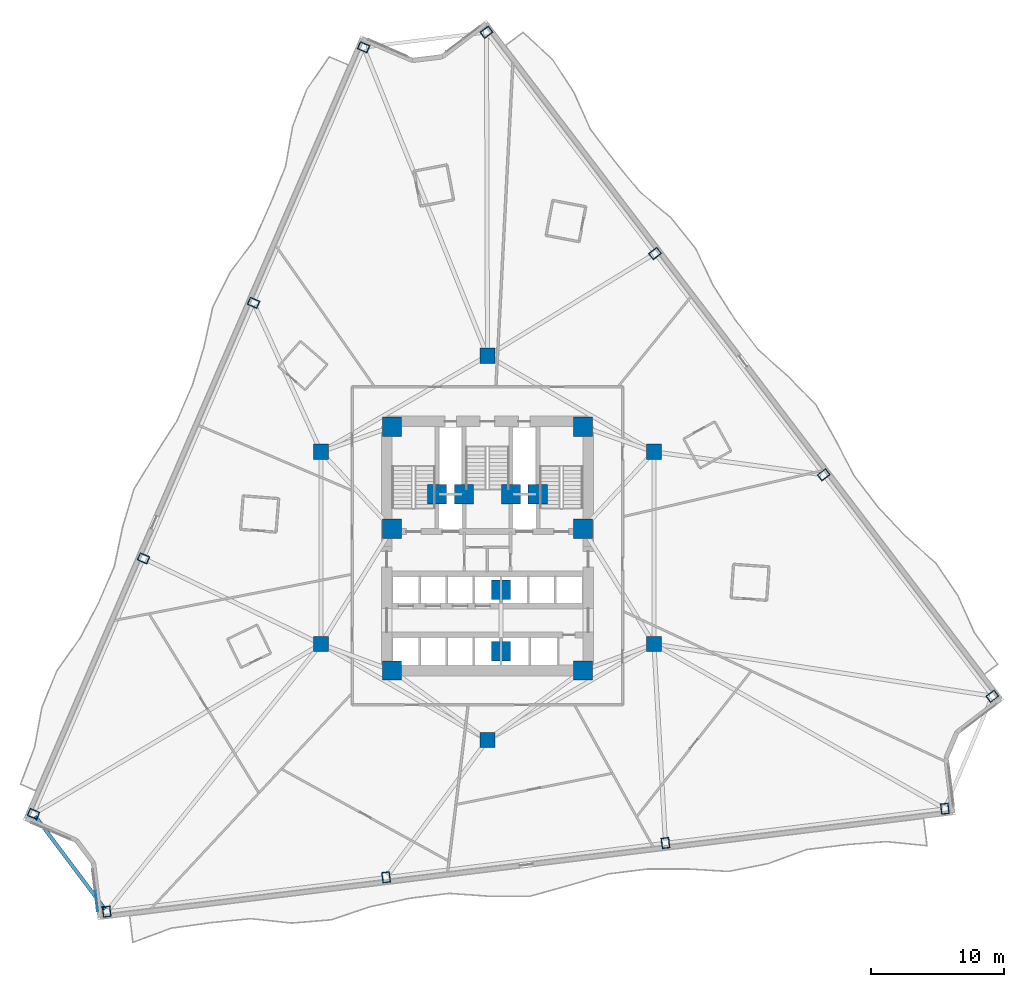
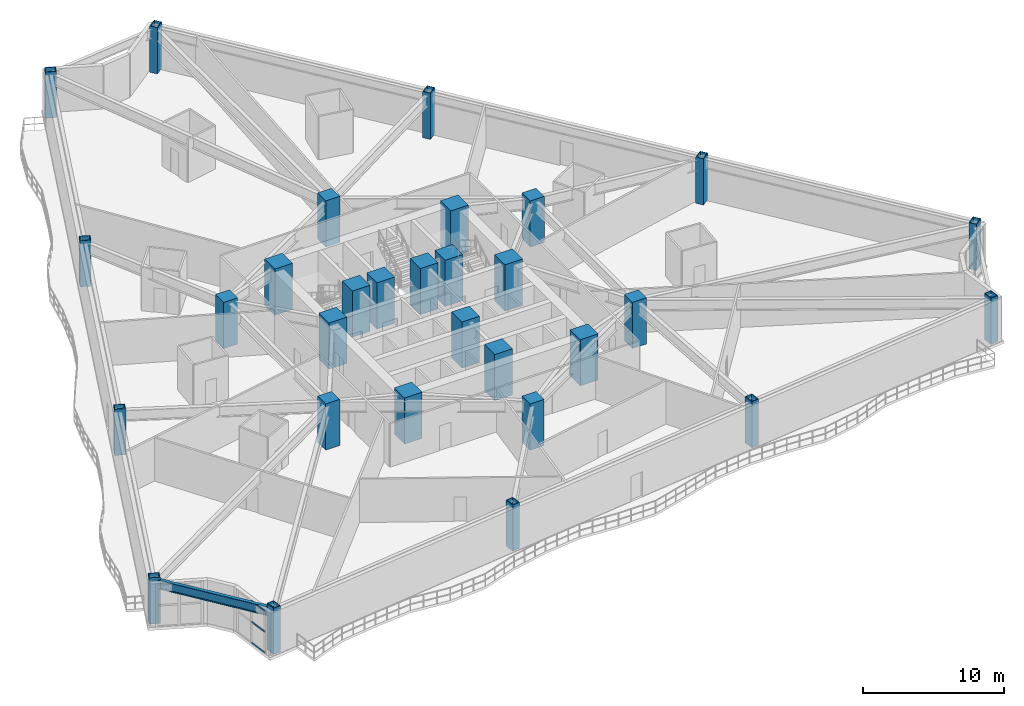
# One storey, part 1 of 17: 30 columns, 3 members, 1 beam, 1 element without a shape of its own.
"""IFC4 building model written with IfcOpenShell, lengths in metres."""

from ifc_helpers import new_model, si_unit, direction, frame, origin, origin_2d, place, context, subcontext, project, spatial, rectangle, hollow_rectangle, i_section, extrude, material, layer, layer_set, material_profile, profile_set, type_object, element, aggregate, save


model = new_model("IFC4")

# Units and contexts
model_context = context("Model", 3, precision=1e-05, world=origin(), true_north=direction((0.0, 1.0)))
body_context = subcontext(model_context, "Body", "Model", "MODEL_VIEW")
ifc_project = project(units=[si_unit("LENGTHUNIT", "METRE"), si_unit("AREAUNIT", "SQUARE_METRE"), si_unit("VOLUMEUNIT", "CUBIC_METRE"), si_unit("PLANEANGLEUNIT", "RADIAN"), si_unit("MASSUNIT", "GRAM", prefix="KILO")], contexts=[model_context])

# Site, building, storey
site_placement = place(None, origin())
site = spatial("IfcSite", under=ifc_project, at=site_placement, CompositionType="ELEMENT")
building_placement = place(site_placement, origin())
building = spatial("IfcBuilding", under=site, at=building_placement, Name="Apsidion Concourse Tower", CompositionType="ELEMENT")
storey_placement = place(building_placement, frame((0.0, 0.0, 75.0)))
storey = spatial("IfcBuildingStorey", under=building, at=storey_placement, Name="L16", CompositionType="ELEMENT", Elevation=75.0)

# Columns
ifc_material_1 = material(Name="Structural steel ASTM A572 Grade 50", Category="steel")
ifc_material_profile_1 = material_profile(ifc_material_1, hollow_rectangle(XDim=0.60009765625, YDim=0.800048828125, WallThickness=0.050048828125, at=origin_2d()), Name="BOX800X600X50")
ifc_profile_set_1 = profile_set([ifc_material_profile_1], Name="Structural steel ASTM A572 Grade 50")
column_type_1 = type_object("IfcColumnType", Name="COL-BOX-800", PredefinedType="COLUMN", material=ifc_profile_set_1)
for number, where, z_axis, x_axis, name in (
    (1, (-9.34423828125, 37.77685546875, 0.0), (0.0, 0.0, 1.0), (0.395545502563, 0.918446381343, 0.0), "L16 Rotated Perimeter Column PC01"),
    (2, (-17.64794921875, 18.49462890625, 0.0), (0.0, 0.0, 1.0), (0.395545502563, 0.918446381343, 0.0), "L16 Rotated Perimeter Column PC02"),
    (3, (-25.95166015625, -0.787353515625, 0.0), (0.0, 0.0, 1.0), (0.395545502563, 0.918446381343, 0.0), "L16 Rotated Perimeter Column PC03"),
    (4, (-34.25537109375, -20.069580078125, 0.0), (0.0, 0.0, 1.0), (0.395545502563, 0.918446381343, 0.0), "L16 Rotated Perimeter Column PC04"),
    (5, (-28.72802734375, -27.4443359375, 0.0), (0.0, 0.0, 1.0), (0.992546151641, 0.121869343405, 0.0), "L16 Rotated Perimeter Column PC05"),
    (6, (-7.647216796875, -24.85595703125, 0.0), (0.0, 0.0, 1.0), (0.992546151641, 0.121869343405, 0.0), "L16 Rotated Perimeter Column PC06"),
    (7, (13.433349609375, -22.267578125, 0.0), (0.0, 0.0, 1.0), (0.992546151641, 0.121869343405, 0.0), "L16 Rotated Perimeter Column PC07"),
    (8, (34.51416015625, -19.67919921875, 0.0), (0.0, 0.0, 1.0), (0.992546151641, 0.121869343405, 0.0), "L16 Rotated Perimeter Column PC08"),
    (9, (38.093017578125, -11.186279296875, 0.0), (0.0, 0.0, 1.0), (-0.605988400266, 0.795473480855, 0.0), "L16 Rotated Perimeter Column PC09"),
    (10, (25.371337890625, 5.514404296875, 0.0), (0.0, 0.0, 1.0), (-0.605988400266, 0.795473480855, 0.0), "L16 Rotated Perimeter Column PC10"),
    (11, (12.6494140625, 22.214599609375, 0.0), (0.0, 0.0, 1.0), (-0.605988400266, 0.795473480855, 0.0), "L16 Rotated Perimeter Column PC11"),
    (12, (-0.072265625, 38.915283203125, 0.0), (0.0, 0.0, 1.0), (-0.605988400266, 0.795473480855, 0.0), "L16 Rotated Perimeter Column PC12"),
):
    element("IfcColumn", number, at=place(storey_placement, frame(where, z_axis=z_axis, x_axis=x_axis)), inside=storey, type_object=column_type_1, Name=name, PredefinedType="COLUMN", context=body_context, shape_type="SweptSolid", body=[
        extrude(hollow_rectangle(XDim=0.60009765625, YDim=0.800048828125, WallThickness=0.050048828125, at=origin_2d()), origin(), (0.0, 0.0, 1.0), 4.0),
    ])
ifc_material_2 = material(Name="Concrete C50/60", Category="concrete")
ifc_material_profile_2 = material_profile(ifc_material_2, rectangle(XDim=1.14990234375, YDim=1.14990234375, at=origin_2d()), Name="RC 1150x1150")
ifc_profile_set_2 = profile_set([ifc_material_profile_2], Name="Concrete C50/60")
column_type_2 = type_object("IfcColumnType", Name="COL-RC-1150", PredefinedType="COLUMN", material=ifc_profile_set_2)
for number, where, z_axis, x_axis, name in (
    (13, (-12.56005859375, -7.25, 0.0), (0.0, 0.0, 1.0), (1.0, 0.0, 0.0), "L16 Interior Spine Column IC1"),
    (14, (12.56005859375, -7.25, 0.0), (0.0, 0.0, 1.0), (1.0, 0.0, 0.0), "L16 Interior Spine Column IC2"),
    (15, (12.56005859375, 7.25, 0.0), (0.0, 0.0, 1.0), (1.0, 0.0, 0.0), "L16 Interior Spine Column IC3"),
    (16, (0.0, 14.5, 0.0), (0.0, 0.0, 1.0), (1.0, 0.0, 0.0), "L16 Interior Spine Column IC4"),
    (17, (-12.56005859375, 7.25, 0.0), (0.0, 0.0, 1.0), (1.0, 0.0, 0.0), "L16 Interior Spine Column IC5"),
    (18, (0.0, -14.5, 0.0), (0.0, 0.0, 1.0), (1.0, 0.0, 0.0), "L16 Interior Spine Column IC6"),
):
    element("IfcColumn", number, at=place(storey_placement, frame(where, z_axis=z_axis, x_axis=x_axis)), inside=storey, type_object=column_type_2, Name=name, PredefinedType="COLUMN", context=body_context, shape_type="SweptSolid", body=[
        extrude(rectangle(XDim=1.14990234375, YDim=1.14990234375, at=origin_2d()), origin(), (0.0, 0.0, 1.0), 4.0),
    ])
ifc_material_3 = material(Name="Concrete C60/75", Category="concrete")
ifc_material_profile_3 = material_profile(ifc_material_3, rectangle(XDim=1.449951171875, YDim=1.449951171875, at=origin_2d()), Name="RC 1450x1450")
ifc_profile_set_3 = profile_set([ifc_material_profile_3], Name="Concrete C60/75")
column_type_3 = type_object("IfcColumnType", Name="COL-RC-1450", PredefinedType="COLUMN", material=ifc_profile_set_3)
for number, where, z_axis, x_axis, name in (
    (19, (-7.199951171875, -9.25, 0.0), (0.0, 0.0, 1.0), (1.0, 0.0, 0.0), "L16 Core Super-Column SC1"),
    (20, (7.199951171875, -9.25, 0.0), (0.0, 0.0, 1.0), (1.0, 0.0, 0.0), "L16 Core Super-Column SC2"),
    (21, (7.199951171875, 1.449951171875, 0.0), (0.0, 0.0, 1.0), (1.0, 0.0, 0.0), "L16 Core Super-Column SC3"),
    (22, (7.199951171875, 9.14990234375, 0.0), (0.0, 0.0, 1.0), (1.0, 0.0, 0.0), "L16 Core Super-Column SC4"),
    (23, (-7.199951171875, 9.14990234375, 0.0), (0.0, 0.0, 1.0), (1.0, 0.0, 0.0), "L16 Core Super-Column SC5"),
    (24, (-7.199951171875, 1.449951171875, 0.0), (0.0, 0.0, 1.0), (1.0, 0.0, 0.0), "L16 Core Super-Column SC6"),
    (25, (-3.800048828125, 4.050048828125, 0.0), (0.0, 0.0, 1.0), (1.0, 0.0, 0.0), "L16 Core Super-Column CC1"),
    (26, (3.800048828125, 4.050048828125, 0.0), (0.0, 0.0, 1.0), (1.0, 0.0, 0.0), "L16 Core Super-Column CC2"),
    (27, (-1.77490234375, 4.050048828125, 0.0), (0.0, 0.0, 1.0), (1.0, 0.0, 0.0), "L16 Core Super-Column CC3"),
    (28, (1.77490234375, 4.050048828125, 0.0), (0.0, 0.0, 1.0), (1.0, 0.0, 0.0), "L16 Core Super-Column CC4"),
    (29, (1.02490234375, -3.14990234375, 0.0), (0.0, 0.0, 1.0), (1.0, 0.0, 0.0), "L16 Core Super-Column CC5"),
    (30, (1.02490234375, -7.800048828125, 0.0), (0.0, 0.0, 1.0), (1.0, 0.0, 0.0), "L16 Core Super-Column CC6"),
):
    element("IfcColumn", number, at=place(storey_placement, frame(where, z_axis=z_axis, x_axis=x_axis)), inside=storey, type_object=column_type_3, Name=name, PredefinedType="COLUMN", context=body_context, shape_type="SweptSolid", body=[
        extrude(rectangle(XDim=1.449951171875, YDim=1.449951171875, at=origin_2d()), origin(), (0.0, 0.0, 1.0), 4.0),
    ])

# Beam
ifc_material_4 = material(Name="Structural steel ASTM A992 Grade 50", Category="steel")
ifc_material_profile_4 = material_profile(ifc_material_4, i_section(OverallWidth=0.26806640625, OverallDepth=0.77001953125, WebThickness=0.015625, FlangeThickness=0.025390625, at=origin_2d()), Name="W30X132")
ifc_profile_set_4 = profile_set([ifc_material_profile_4], Name="Structural steel ASTM A992 Grade 50")
beam_type = type_object("IfcBeamType", Name="BM-SP-W30", PredefinedType="SPANDREL", material=ifc_profile_set_4)
beam_placement = place(storey_placement, frame((-34.12353515625, -20.24560546875, 3.364990234375), z_axis=(0.59973736177, -0.800196911327, 0.0), x_axis=(0.800196911327, 0.59973736177, 0.0)))
element("IfcBeam", 31, at=beam_placement, inside=storey, type_object=beam_type, Name="L16 Perimeter Spandrel Girder SP-04", PredefinedType="SPANDREL", context=body_context, shape_type="SweptSolid", body=[
    extrude(i_section(OverallWidth=0.26806640625, OverallDepth=0.77001953125, WebThickness=0.015625, FlangeThickness=0.025390625, at=origin_2d()), origin(), (0.0, 0.0, 1.0), 8.776123046875),
])

# Curtain wall, members
ifc_material_5 = material(Name="Insulated laminated low-E glass", Category="glass")
ifc_layer = layer(ifc_material_5, 0.219970703125)
ifc_layer_set = layer_set([ifc_layer], Name="Insulated laminated low-E glass")
curtain_wall_type = type_object("IfcCurtainWallType", Name="CW-SYS-04", PredefinedType="NOTDEFINED", material=ifc_layer_set)
curtain_wall_placement = place(storey_placement, origin())
curtain_wall = element("IfcCurtainWall", 32, at=curtain_wall_placement, inside=storey, type_object=curtain_wall_type, Name="L16 Corner Lounge Box Curtain Wall 6", PredefinedType="NOTDEFINED")
ifc_material_6 = material(Name="Anodised aluminium EN AW-6063 T6", Category="aluminium")
ifc_material_profile_5 = material_profile(ifc_material_6, rectangle(XDim=0.06494140625, YDim=0.139892578125, at=origin_2d()), Name="ALU TRANSOM 65x140")
ifc_profile_set_5 = profile_set([ifc_material_profile_5], Name="Anodised aluminium EN AW-6063 T6")
member_type = type_object("IfcMemberType", Name="CWT-65X140", PredefinedType="USERDEFINED", material=ifc_profile_set_5)
member_1_placement = place(storey_placement, frame((-29.40673828125, -27.39892578125, 0.032470703125), z_axis=(-0.121926603855, 0.992539119266, 0.0), x_axis=(-0.992539119266, -0.121926603855, 0.0)))
member_1 = element("IfcMember", 33, at=member_1_placement, type_object=member_type, Name="CW-04 transom 1.1", ObjectType="TRANSOM", PredefinedType="USERDEFINED", context=body_context, shape_type="SweptSolid", body=[
    extrude(rectangle(XDim=0.06494140625, YDim=0.139892578125, at=origin_2d()), origin(), (0.0, 0.0, 1.0), 1.5537109375),
])
member_2_placement = place(storey_placement, frame((-29.40673828125, -27.39892578125, 1.85009765625), z_axis=(-0.121926603855, 0.992539119266, 0.0), x_axis=(-0.992539119266, -0.121926603855, 0.0)))
member_2 = element("IfcMember", 34, at=member_2_placement, type_object=member_type, Name="CW-04 transom 1.2", ObjectType="TRANSOM", PredefinedType="USERDEFINED", context=body_context, shape_type="SweptSolid", body=[
    extrude(rectangle(XDim=0.06494140625, YDim=0.139892578125, at=origin_2d()), origin(), (0.0, 0.0, 1.0), 1.5537109375),
])
member_3_placement = place(storey_placement, frame((-29.40673828125, -27.39892578125, 3.66748046875), z_axis=(-0.121926603855, 0.992539119266, 0.0), x_axis=(-0.992539119266, -0.121926603855, 0.0)))
member_3 = element("IfcMember", 35, at=member_3_placement, type_object=member_type, Name="CW-04 transom 1.3", ObjectType="TRANSOM", PredefinedType="USERDEFINED", context=body_context, shape_type="SweptSolid", body=[
    extrude(rectangle(XDim=0.06494140625, YDim=0.139892578125, at=origin_2d()), origin(), (0.0, 0.0, 1.0), 1.5537109375),
])
aggregate(curtain_wall, [member_1, member_2, member_3])

save(model, "model.ifc")
